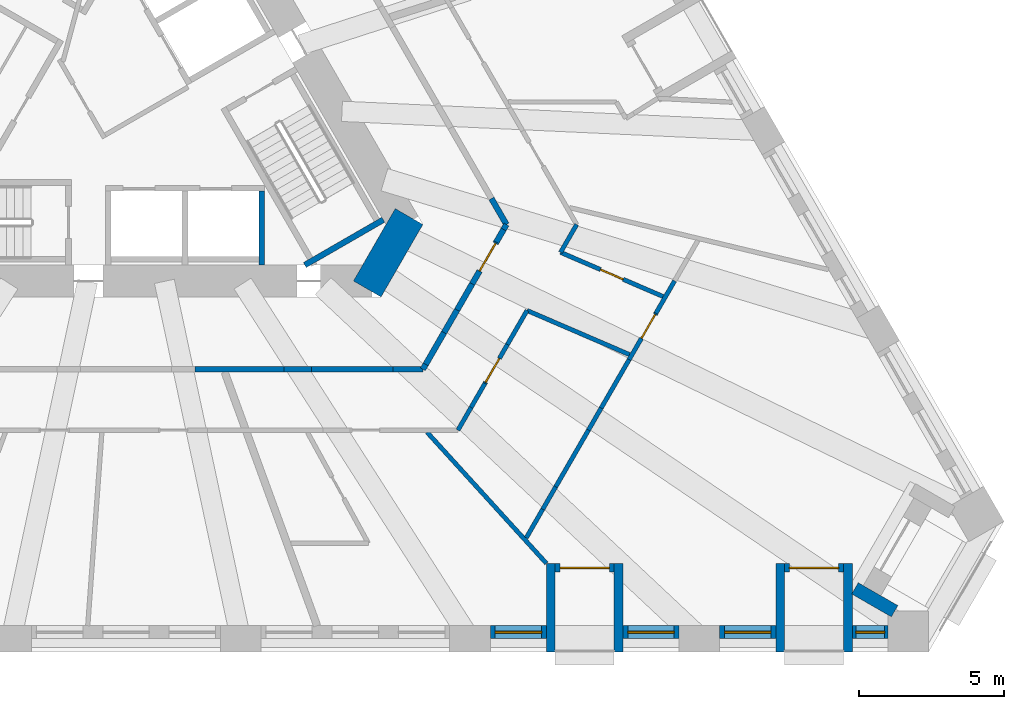
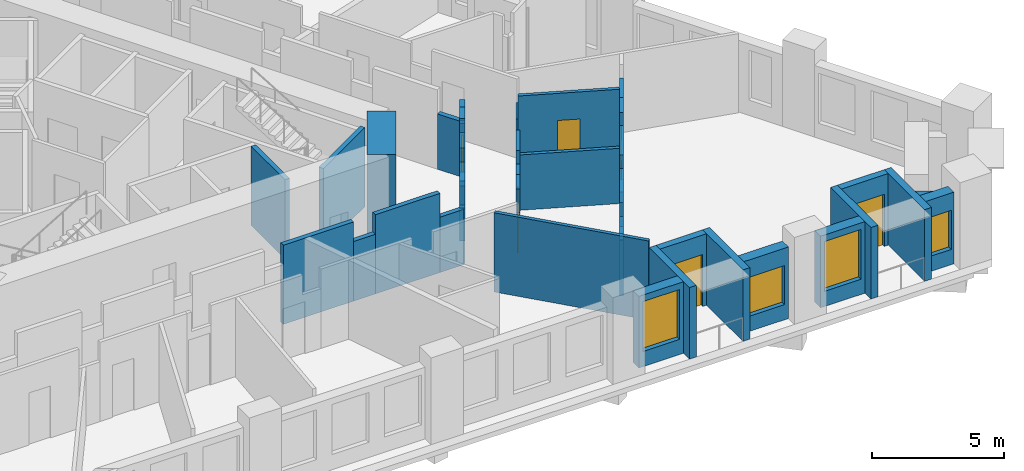
# One storey, part 6 of 14: 41 walls, 6 doors, 4 windows, 10 openings.
"""IFC4 building model written with IfcOpenShell, lengths in metres."""

from ifc_helpers import new_model, si_unit, direction, frame, frame_2d, origin, place, context, subcontext, project, spatial, polyline, rectangle, outline, extrude, material, layer, layer_set, type_object, element, fill, save


model = new_model("IFC4")

# Units and contexts
model_context = context("Model", 3, precision=1e-05, world=origin(), true_north=direction((0.0, 1.0)))
body_context = subcontext(model_context, "Body", "Model", "MODEL_VIEW")
ifc_project = project(units=[si_unit("LENGTHUNIT", "METRE"), si_unit("AREAUNIT", "SQUARE_METRE"), si_unit("VOLUMEUNIT", "CUBIC_METRE"), si_unit("PLANEANGLEUNIT", "RADIAN"), si_unit("MASSUNIT", "GRAM", prefix="KILO")], contexts=[model_context])

# Site, building, storey
site_placement = place(None, origin())
site = spatial("IfcSite", under=ifc_project, at=site_placement, CompositionType="ELEMENT")
building_placement = place(site_placement, origin())
building = spatial("IfcBuilding", under=site, at=building_placement, Name="Tramontana Tower", CompositionType="ELEMENT")
storey_placement = place(building_placement, frame((0.0, 0.0, 38.0)))
storey = spatial("IfcBuildingStorey", under=building, at=storey_placement, Name="L07", CompositionType="ELEMENT", Elevation=38.0)

# Walls
ifc_material_1 = material(Name="Concrete 70 MPa", Category="concrete")
ifc_layer_1 = layer(ifc_material_1, 1.10009765625)
ifc_layer_set_1 = layer_set([ifc_layer_1], Name="Core wall 1100 70 MPa")
wall_type_1 = type_object("IfcWallType", Name="Core wall 1100 70 MPa", PredefinedType="SHEAR", material=ifc_layer_set_1)
wall_1_placement = place(storey_placement, frame((8.328369140625, -6.47509765625, 0.0), z_axis=(0.0, 0.0, 1.0), x_axis=(0.499995765644, 0.866027848477, 0.0)))
element("IfcWall", 1, at=wall_1_placement, inside=storey, type_object=wall_type_1, Name="Core wall C4 L07", PredefinedType="SHEAR", context=body_context, shape_type="SweptSolid", body=[
    extrude(rectangle(XDim=2.88671875, YDim=1.10009765625, at=frame_2d((1.443359375, 0.0))), origin(), (0.0, 0.0, 1.0), 4.0),
])
ifc_material_2 = material(Name="Blockwork", Category="masonry")
ifc_layer_2 = layer(ifc_material_2, 0.199951171875)
ifc_layer_set_2 = layer_set([ifc_layer_2], Name="ENTRY WALL 200")
wall_type_2 = type_object("IfcWallType", Name="ENTRY WALL 200", PredefinedType="SOLIDWALL", material=ifc_layer_set_2)
wall_2_placement = place(storey_placement, frame((12.616943359375, -3.353515625, 0.0), z_axis=(0.0, 0.0, 1.0), x_axis=(0.500171514983, -0.865926356915, 0.0)))
element("IfcWall", 2, at=wall_2_placement, inside=storey, type_object=wall_type_2, Name="Wall v02-ew0-10", PredefinedType="SOLIDWALL", context=body_context, shape_type="SweptSolid", body=[
    extrude(rectangle(XDim=1.035400390625, YDim=0.199951171875, at=frame_2d((0.517578125, 0.0))), origin(), (0.0, 0.0, 1.0), 2.550048828125),
])
wall_3_placement = place(storey_placement, frame((13.134765625, -4.25, 0.0), z_axis=(0.0, 0.0, 1.0), x_axis=(-0.499865263774, -0.866103179807, 0.0)))
element("IfcWall", 3, at=wall_3_placement, inside=storey, type_object=wall_type_2, Name="Wall v02-ew1-0", PredefinedType="SOLIDWALL", context=body_context, shape_type="SweptSolid", body=[
    extrude(rectangle(XDim=0.197265625, YDim=0.199951171875, at=frame_2d((0.0986328125, 0.0))), origin(), (0.0, 0.0, 1.0), 2.550048828125),
])
wall_4_placement = place(storey_placement, frame((13.0361328125, -4.4208984375, 0.0), z_axis=(0.0, 0.0, 1.0), x_axis=(-0.499931517724, -0.866064938435, 0.0)))
element("IfcWall", 4, at=wall_4_placement, inside=storey, type_object=wall_type_2, Name="Wall v02-ew1-1", PredefinedType="SOLIDWALL", context=body_context, shape_type="SweptSolid", body=[
    extrude(rectangle(XDim=0.50537109375, YDim=0.199951171875, at=frame_2d((0.252685546875, 0.0))), origin(), (0.0, 0.0, 1.0), 3.64990234375),
])

# Wall, opening, door
wall_5_placement = place(storey_placement, frame((11.951416015625, -6.29931640625, 0.0), z_axis=(0.0, 0.0, 1.0), x_axis=(0.50011622646, 0.865958290007, 0.0)))
wall_5 = element("IfcWall", 5, at=wall_5_placement, inside=storey, type_object=wall_type_2, Name="Wall v02-ew1-2", PredefinedType="SOLIDWALL", context=body_context, shape_type="SweptSolid", body=[
    extrude(outline(polyline([(0.0, 0.0), (1.66357421875, 0.0), (1.663818359375, 3.64990234375), (0.90234375, 3.64990234375), (0.90234375, 2.550048828125), (0.0, 2.550048828125), (0.0, 0.0)])), frame((0.0, 0.10009765625, 0.0), z_axis=(0.0, -1.0, 0.0), x_axis=(1.0, 0.0, 0.0)), (0.0, 0.0, 1.0), 0.199951171875),
])
opening_1_placement = place(wall_5_placement, frame((0.513671875, 0.0, 0.0)))
opening_1 = element("IfcOpeningElement", 6, at=opening_1_placement, cuts=wall_5, Name="Opening B0C-29", PredefinedType="OPENING", context=body_context, shape_type="SweptSolid", body=[
    extrude(rectangle(XDim=1.10009765625, YDim=2.39990234375, at=frame_2d((0.550048828125, 1.199951171875))), frame((0.0, 0.10986328125, 0.0), z_axis=(0.0, -1.0, 0.0), x_axis=(1.0, 0.0, 0.0)), (0.0, 0.0, 1.0), 0.219970703125),
])
ifc_material_3 = material(Name="Painted timber", Category="wood")
door_type_1 = type_object("IfcDoorType", Name="DOOR ENTRY 1100", OperationType="SINGLE_SWING_LEFT", PredefinedType="DOOR", material=ifc_material_3)
door_1_placement = place(opening_1_placement, origin())
door_1 = element("IfcDoor", 7, at=door_1_placement, inside=storey, type_object=door_type_1, Name="Door B0C-29", OperationType="SINGLE_SWING_LEFT", OverallHeight=2.39990234375, OverallWidth=1.10009765625, PredefinedType="DOOR", context=body_context, shape_type="SweptSolid", body=[
    extrude(rectangle(XDim=1.10009765625, YDim=2.39990234375, at=frame_2d((0.550048828125, 1.199951171875))), frame((0.0, 0.02490234375, 0.0), z_axis=(0.0, -1.0, 0.0), x_axis=(1.0, 0.0, 0.0)), (0.0, 0.0, 1.0), 0.050048828125),
])
fill(opening_1, door_1)

# Walls
wall_6_placement = place(storey_placement, frame((11.951416015625, -6.29931640625, 0.0), z_axis=(0.0, 0.0, 1.0), x_axis=(-0.499898446243, -0.866084027935, 0.0)))
element("IfcWall", 8, at=wall_6_placement, inside=storey, type_object=wall_type_2, Name="Wall v02-ew1-3", PredefinedType="SOLIDWALL", context=body_context, shape_type="SweptSolid", body=[
    extrude(rectangle(XDim=1.040771484375, YDim=0.199951171875, at=frame_2d((0.5205078125, 0.0))), origin(), (0.0, 0.0, 1.0), 3.64990234375),
])
wall_7_placement = place(storey_placement, frame((11.43115234375, -7.20068359375, 0.0), z_axis=(0.0, 0.0, 1.0), x_axis=(-0.500097243556, -0.865969252911, 0.0)))
element("IfcWall", 9, at=wall_7_placement, inside=storey, type_object=wall_type_2, Name="Wall v02-ew1-4", PredefinedType="SOLIDWALL", context=body_context, shape_type="SweptSolid", body=[
    extrude(rectangle(XDim=0.902099609375, YDim=0.199951171875, at=frame_2d((0.451171875, 0.0))), origin(), (0.0, 0.0, 1.0), 2.550048828125),
])
wall_8_placement = place(storey_placement, frame((10.97998046875, -7.98193359375, 0.0), z_axis=(0.0, 0.0, 1.0), x_axis=(-0.499911523785, -0.866076479525, 0.0)))
element("IfcWall", 10, at=wall_8_placement, inside=storey, type_object=wall_type_2, Name="Wall v02-ew1-5", PredefinedType="SOLIDWALL", context=body_context, shape_type="SweptSolid", body=[
    extrude(rectangle(XDim=1.266845703125, YDim=0.199951171875, at=frame_2d((0.63330078125, 0.0))), origin(), (0.0, 0.0, 1.0), 3.64990234375),
])
wall_9_placement = place(storey_placement, frame((10.3466796875, -9.0791015625, 0.0), z_axis=(0.0, 0.0, 1.0), x_axis=(-0.499865263774, -0.866103179807, 0.0)))
element("IfcWall", 11, at=wall_9_placement, inside=storey, type_object=wall_type_2, Name="Wall v02-ew1-6", PredefinedType="SOLIDWALL", context=body_context, shape_type="SweptSolid", body=[
    extrude(rectangle(XDim=0.197265625, YDim=0.199951171875, at=frame_2d((0.0986328125, 0.0))), origin(), (0.0, 0.0, 1.0), 2.550048828125),
])
wall_10_placement = place(storey_placement, frame((10.248046875, -9.25, 0.0), z_axis=(0.0, 0.0, 1.0), x_axis=(-1.0, 0.0, 0.0)))
element("IfcWall", 12, at=wall_10_placement, inside=storey, type_object=wall_type_2, Name="Wall v02-ew2-0", PredefinedType="SOLIDWALL", context=body_context, shape_type="SweptSolid", body=[
    extrude(rectangle(XDim=1.035400390625, YDim=0.199951171875, at=frame_2d((0.517578125, 0.0))), origin(), (0.0, 0.0, 1.0), 2.550048828125),
])
wall_11_placement = place(storey_placement, frame((9.212646484375, -9.25, 0.0), z_axis=(0.0, 0.0, 1.0), x_axis=(-1.0, 0.0, 0.0)))
element("IfcWall", 13, at=wall_11_placement, inside=storey, type_object=wall_type_2, Name="Wall v02-ew2-1", PredefinedType="SOLIDWALL", context=body_context, shape_type="SweptSolid", body=[
    extrude(rectangle(XDim=2.815185546875, YDim=0.199951171875, at=frame_2d((1.40771484375, 0.0))), origin(), (0.0, 0.0, 1.0), 3.64990234375),
])
wall_12_placement = place(storey_placement, frame((6.3974609375, -9.25, 0.0), z_axis=(0.0, 0.0, 1.0), x_axis=(-1.0, 0.0, 0.0)))
element("IfcWall", 14, at=wall_12_placement, inside=storey, type_object=wall_type_2, Name="Wall v02-ew2-2", PredefinedType="SOLIDWALL", context=body_context, shape_type="SweptSolid", body=[
    extrude(rectangle(XDim=0.949951171875, YDim=0.199951171875, at=frame_2d((0.47509765625, 0.0))), origin(), (0.0, 0.0, 1.0), 2.75),
])
wall_13_placement = place(storey_placement, frame((5.447509765625, -9.25, 0.0), z_axis=(0.0, 0.0, 1.0), x_axis=(-1.0, 0.0, 0.0)))
element("IfcWall", 15, at=wall_13_placement, inside=storey, type_object=wall_type_2, Name="Wall v02-ew2-3", PredefinedType="SOLIDWALL", context=body_context, shape_type="SweptSolid", body=[
    extrude(rectangle(XDim=3.064453125, YDim=0.199951171875, at=frame_2d((1.5322265625, 0.0))), origin(), (0.0, 0.0, 1.0), 3.64990234375),
])

# Wall, opening, window
ifc_material_4 = material(Name="Precast concrete 60 MPa", Category="concrete")
ifc_layer_3 = layer(ifc_material_4, 0.449951171875)
ifc_layer_set_3 = layer_set([ifc_layer_3], Name="Precast concrete 60 MPa, 450 mm")
wall_type_3 = type_object("IfcWallType", Name="EW1 Stone-faced precast wall 450", PredefinedType="SOLIDWALL", material=ifc_layer_set_3)
wall_14_placement = place(storey_placement, frame((12.576904296875, -18.324951171875, 0.0), z_axis=(0.0, 0.0, 1.0), x_axis=(1.0, 0.0, 0.0)))
wall_14 = element("IfcWall", 16, at=wall_14_placement, inside=storey, type_object=wall_type_3, Name="External wall L07 face 1 bay 6", PredefinedType="SOLIDWALL", context=body_context, shape_type="SweptSolid", body=[
    extrude(rectangle(XDim=1.939208984375, YDim=0.449951171875, at=frame_2d((0.9697265625, 0.0))), origin(), (0.0, 0.0, 1.0), 3.300048828125),
])
opening_2_placement = place(wall_14_placement, frame((0.169677734375, 0.0, 0.699951171875)))
opening_2 = element("IfcOpeningElement", 17, at=opening_2_placement, cuts=wall_14, Name="Opening M1", PredefinedType="OPENING", context=body_context, shape_type="SweptSolid", body=[
    extrude(rectangle(XDim=1.60009765625, YDim=2.300048828125, at=frame_2d((0.800048828125, 1.14990234375))), frame((0.0, 0.23486328125, 0.0), z_axis=(0.0, -1.0, 0.0), x_axis=(1.0, 0.0, 0.0)), (0.0, 0.0, 1.0), 0.469970703125),
])
ifc_material_5 = material(Name="Aluminum frame, double glazing unit", Category="aluminium")
window_type_1 = type_object("IfcWindowType", Name="M1 Window 1.6 x 2.3", PartitioningType="SINGLE_PANEL", PredefinedType="WINDOW", material=ifc_material_5)
window_1_placement = place(opening_2_placement, origin())
window_1 = element("IfcWindow", 18, at=window_1_placement, inside=storey, type_object=window_type_1, Name="Window M1 L07 face 1 module 16", OverallHeight=2.300048828125, OverallWidth=1.60009765625, PartitioningType="SINGLE_PANEL", PredefinedType="WINDOW", context=body_context, shape_type="SweptSolid", body=[
    extrude(rectangle(XDim=1.60009765625, YDim=2.300048828125, at=frame_2d((0.800048828125, 1.14990234375))), frame((0.0, 0.030029296875, 0.0), z_axis=(0.0, -1.0, 0.0), x_axis=(1.0, 0.0, 0.0)), (0.0, 0.0, 1.0), 0.06005859375),
])
fill(opening_2, window_1)

wall_15_placement = place(storey_placement, frame((17.155517578125, -18.324951171875, 0.0), z_axis=(0.0, 0.0, 1.0), x_axis=(1.0, 0.0, 0.0)))
wall_15 = element("IfcWall", 19, at=wall_15_placement, inside=storey, type_object=wall_type_3, Name="External wall L07 face 1 bay 6", PredefinedType="SOLIDWALL", context=body_context, shape_type="SweptSolid", body=[
    extrude(rectangle(XDim=1.939453125, YDim=0.449951171875, at=frame_2d((0.9697265625, 0.0))), origin(), (0.0, 0.0, 1.0), 3.300048828125),
])
opening_3_placement = place(wall_15_placement, frame((0.169677734375, 0.0, 0.699951171875)))
opening_3 = element("IfcOpeningElement", 20, at=opening_3_placement, cuts=wall_15, Name="Opening M1L", PredefinedType="OPENING", context=body_context, shape_type="SweptSolid", body=[
    extrude(rectangle(XDim=1.60009765625, YDim=1.800048828125, at=frame_2d((0.800048828125, 0.89990234375))), frame((0.0, 0.23486328125, 0.0), z_axis=(0.0, -1.0, 0.0), x_axis=(1.0, 0.0, 0.0)), (0.0, 0.0, 1.0), 0.469970703125),
])
ifc_material_6 = material(Name="Aluminum frame, double glazing unit", Category="aluminium")
window_type_2 = type_object("IfcWindowType", Name="M1L Window 1.6 x 1.8", PartitioningType="SINGLE_PANEL", PredefinedType="WINDOW", material=ifc_material_6)
window_2_placement = place(opening_3_placement, origin())
window_2 = element("IfcWindow", 21, at=window_2_placement, inside=storey, type_object=window_type_2, Name="Window M1L L07 face 1 module 18", OverallHeight=1.800048828125, OverallWidth=1.60009765625, PartitioningType="SINGLE_PANEL", PredefinedType="WINDOW", context=body_context, shape_type="SweptSolid", body=[
    extrude(rectangle(XDim=1.60009765625, YDim=1.800048828125, at=frame_2d((0.800048828125, 0.89990234375))), frame((0.0, 0.030029296875, 0.0), z_axis=(0.0, -1.0, 0.0), x_axis=(1.0, 0.0, 0.0)), (0.0, 0.0, 1.0), 0.06005859375),
])
fill(opening_3, window_2)

wall_16_placement = place(storey_placement, frame((20.494873046875, -18.324951171875, 0.0), z_axis=(0.0, 0.0, 1.0), x_axis=(1.0, 0.0, 0.0)))
wall_16 = element("IfcWall", 22, at=wall_16_placement, inside=storey, type_object=wall_type_3, Name="External wall L07 face 1 bay 7", PredefinedType="SOLIDWALL", context=body_context, shape_type="SweptSolid", body=[
    extrude(rectangle(XDim=1.939208984375, YDim=0.449951171875, at=frame_2d((0.9697265625, 0.0))), origin(), (0.0, 0.0, 1.0), 3.300048828125),
])
opening_4_placement = place(wall_16_placement, frame((0.169677734375, 0.0, 0.699951171875)))
opening_4 = element("IfcOpeningElement", 23, at=opening_4_placement, cuts=wall_16, Name="Opening M1", PredefinedType="OPENING", context=body_context, shape_type="SweptSolid", body=[
    extrude(rectangle(XDim=1.60009765625, YDim=2.300048828125, at=frame_2d((0.800048828125, 1.14990234375))), frame((0.0, 0.23486328125, 0.0), z_axis=(0.0, -1.0, 0.0), x_axis=(1.0, 0.0, 0.0)), (0.0, 0.0, 1.0), 0.469970703125),
])
window_3_placement = place(opening_4_placement, origin())
window_3 = element("IfcWindow", 24, at=window_3_placement, inside=storey, type_object=window_type_1, Name="Window M1 L07 face 1 module 19", OverallHeight=2.300048828125, OverallWidth=1.60009765625, PartitioningType="SINGLE_PANEL", PredefinedType="WINDOW", context=body_context, shape_type="SweptSolid", body=[
    extrude(rectangle(XDim=1.60009765625, YDim=2.300048828125, at=frame_2d((0.800048828125, 1.14990234375))), frame((0.0, 0.030029296875, 0.0), z_axis=(0.0, -1.0, 0.0), x_axis=(1.0, 0.0, 0.0)), (0.0, 0.0, 1.0), 0.06005859375),
])
fill(opening_4, window_3)

wall_17_placement = place(storey_placement, frame((25.073486328125, -18.324951171875, 0.0), z_axis=(0.0, 0.0, 1.0), x_axis=(1.0, 0.0, 0.0)))
wall_17 = element("IfcWall", 25, at=wall_17_placement, inside=storey, type_object=wall_type_3, Name="External wall L07 face 1 bay 7", PredefinedType="SOLIDWALL", context=body_context, shape_type="SweptSolid", body=[
    extrude(rectangle(XDim=1.2392578125, YDim=0.449951171875, at=frame_2d((0.61962890625, 0.0))), origin(), (0.0, 0.0, 1.0), 3.300048828125),
])
opening_5_placement = place(wall_17_placement, frame((0.11962890625, 0.0, 0.699951171875)))
opening_5 = element("IfcOpeningElement", 26, at=opening_5_placement, cuts=wall_17, Name="Opening N1L", PredefinedType="OPENING", context=body_context, shape_type="SweptSolid", body=[
    extrude(rectangle(XDim=1.0, YDim=1.800048828125, at=frame_2d((0.5, 0.89990234375))), frame((0.0, 0.23486328125, 0.0), z_axis=(0.0, -1.0, 0.0), x_axis=(1.0, 0.0, 0.0)), (0.0, 0.0, 1.0), 0.469970703125),
])
ifc_material_7 = material(Name="Aluminum frame, double glazing unit", Category="aluminium")
window_type_3 = type_object("IfcWindowType", Name="N1L Window 1 x 1.8", PartitioningType="SINGLE_PANEL", PredefinedType="WINDOW", material=ifc_material_7)
window_4_placement = place(opening_5_placement, origin())
window_4 = element("IfcWindow", 27, at=window_4_placement, inside=storey, type_object=window_type_3, Name="Window N1L L07 face 1 module 21", OverallHeight=1.800048828125, OverallWidth=1.0, PartitioningType="SINGLE_PANEL", PredefinedType="WINDOW", context=body_context, shape_type="SweptSolid", body=[
    extrude(rectangle(XDim=1.0, YDim=1.800048828125, at=frame_2d((0.5, 0.89990234375))), frame((0.0, 0.030029296875, 0.0), z_axis=(0.0, -1.0, 0.0), x_axis=(1.0, 0.0, 0.0)), (0.0, 0.0, 1.0), 0.06005859375),
])
fill(opening_5, window_4)

# Wall
wall_18_placement = place(storey_placement, frame((26.5341796875, -17.60009765625, 0.0), z_axis=(0.0, 0.0, 1.0), x_axis=(-0.86597962928, 0.500079275387, 0.0)))
element("IfcWall", 28, at=wall_18_placement, inside=storey, type_object=wall_type_3, Name="Corner loggia side wall L07 K02r", PredefinedType="SOLIDWALL", context=body_context, shape_type="SweptSolid", body=[
    extrude(rectangle(XDim=1.579345703125, YDim=0.449951171875, at=frame_2d((0.78955078125, 0.0))), origin(), (0.0, 0.0, 1.0), 2.550048828125),
])

# Wall, opening, door
ifc_material_8 = material(Name="Precast concrete 60 MPa", Category="concrete")
ifc_layer_4 = layer(ifc_material_8, 0.300048828125)
ifc_layer_set_4 = layer_set([ifc_layer_4], Name="LW1 Stone-faced loggia wall 300")
wall_type_4 = type_object("IfcWallType", Name="LW1 Stone-faced loggia wall 300", PredefinedType="SOLIDWALL", material=ifc_layer_set_4)
wall_19_placement = place(storey_placement, frame((14.816162109375, -16.10009765625, 0.0), z_axis=(0.0, 0.0, 1.0), x_axis=(1.0, 0.0, 0.0)))
wall_19 = element("IfcWall", 29, at=wall_19_placement, inside=storey, type_object=wall_type_4, Name="Loggia wall L07 G0S1.16", PredefinedType="SOLIDWALL", context=body_context, shape_type="SweptSolid", body=[
    extrude(rectangle(XDim=2.039306640625, YDim=0.300048828125, at=frame_2d((1.01953125, 0.0))), origin(), (0.0, 0.0, 1.0), 3.300048828125),
])
opening_6_placement = place(wall_19_placement, frame((0.169677734375, 0.0, 0.0)))
opening_6 = element("IfcOpeningElement", 30, at=opening_6_placement, cuts=wall_19, Name="Opening BD-0S1-16", PredefinedType="OPENING", context=body_context, shape_type="SweptSolid", body=[
    extrude(rectangle(XDim=1.699951171875, YDim=2.39990234375, at=frame_2d((0.85009765625, 1.199951171875))), frame((0.0, 0.159912109375, 0.0), z_axis=(0.0, -1.0, 0.0), x_axis=(1.0, 0.0, 0.0)), (0.0, 0.0, 1.0), 0.320068359375),
])
ifc_material_9 = material(Name="Aluminum frame, double glazing unit", Category="aluminium")
door_type_2 = type_object("IfcDoorType", Name="BD1 Sliding door 1.7 x 2.4", OperationType="SLIDING_TO_LEFT", PredefinedType="DOOR", material=ifc_material_9)
door_2_placement = place(opening_6_placement, origin())
door_2 = element("IfcDoor", 31, at=door_2_placement, inside=storey, type_object=door_type_2, Name="Loggia door L07 G0S1.16", OperationType="SLIDING_TO_LEFT", OverallHeight=2.39990234375, OverallWidth=1.699951171875, PredefinedType="DOOR", context=body_context, shape_type="SweptSolid", body=[
    extrude(rectangle(XDim=1.699951171875, YDim=2.39990234375, at=frame_2d((0.85009765625, 1.199951171875))), frame((0.0, 0.02490234375, 0.0), z_axis=(0.0, -1.0, 0.0), x_axis=(1.0, 0.0, 0.0)), (0.0, 0.0, 1.0), 0.050048828125),
])
fill(opening_6, door_2)

# Walls
for number, where, z_axis, x_axis, name in (
    (32, (14.666259765625, -19.0, 0.0), (0.0, 0.0, 1.0), (0.0, 1.0, 0.0), "Loggia return L07 G0S1.16a"),
    (33, (17.005615234375, -19.0, 0.0), (0.0, 0.0, 1.0), (0.0, 1.0, 0.0), "Loggia return L07 G0S1.16b"),
):
    element("IfcWall", number, at=place(storey_placement, frame(where, z_axis=z_axis, x_axis=x_axis)), inside=storey, type_object=wall_type_4, Name=name, PredefinedType="SOLIDWALL", context=body_context, shape_type="SweptSolid", body=[
        extrude(rectangle(XDim=3.050048828125, YDim=0.300048828125, at=frame_2d((1.52490234375, 0.0))), origin(), (0.0, 0.0, 1.0), 3.300048828125),
    ])

# Wall, opening, door
wall_20_placement = place(storey_placement, frame((22.734130859375, -16.10009765625, 0.0), z_axis=(0.0, 0.0, 1.0), x_axis=(1.0, 0.0, 0.0)))
wall_20 = element("IfcWall", 34, at=wall_20_placement, inside=storey, type_object=wall_type_4, Name="Loggia wall L07 G0S1.19", PredefinedType="SOLIDWALL", context=body_context, shape_type="SweptSolid", body=[
    extrude(rectangle(XDim=2.039306640625, YDim=0.300048828125, at=frame_2d((1.01953125, 0.0))), origin(), (0.0, 0.0, 1.0), 3.300048828125),
])
opening_7_placement = place(wall_20_placement, frame((0.169677734375, 0.0, 0.0)))
opening_7 = element("IfcOpeningElement", 35, at=opening_7_placement, cuts=wall_20, Name="Opening BD-0S1-19", PredefinedType="OPENING", context=body_context, shape_type="SweptSolid", body=[
    extrude(rectangle(XDim=1.699951171875, YDim=2.39990234375, at=frame_2d((0.85009765625, 1.199951171875))), frame((0.0, 0.159912109375, 0.0), z_axis=(0.0, -1.0, 0.0), x_axis=(1.0, 0.0, 0.0)), (0.0, 0.0, 1.0), 0.320068359375),
])
door_3_placement = place(opening_7_placement, origin())
door_3 = element("IfcDoor", 36, at=door_3_placement, inside=storey, type_object=door_type_2, Name="Loggia door L07 G0S1.19", OperationType="SLIDING_TO_LEFT", OverallHeight=2.39990234375, OverallWidth=1.699951171875, PredefinedType="DOOR", context=body_context, shape_type="SweptSolid", body=[
    extrude(rectangle(XDim=1.699951171875, YDim=2.39990234375, at=frame_2d((0.85009765625, 1.199951171875))), frame((0.0, 0.02490234375, 0.0), z_axis=(0.0, -1.0, 0.0), x_axis=(1.0, 0.0, 0.0)), (0.0, 0.0, 1.0), 0.050048828125),
])
fill(opening_7, door_3)

# Walls
for number, where, z_axis, x_axis, name in (
    (37, (22.584228515625, -19.0, 0.0), (0.0, 0.0, 1.0), (0.0, 1.0, 0.0), "Loggia return L07 G0S1.19a"),
    (38, (24.923583984375, -19.0, 0.0), (0.0, 0.0, 1.0), (0.0, 1.0, 0.0), "Loggia return L07 G0S1.19b"),
):
    element("IfcWall", number, at=place(storey_placement, frame(where, z_axis=z_axis, x_axis=x_axis)), inside=storey, type_object=wall_type_4, Name=name, PredefinedType="SOLIDWALL", context=body_context, shape_type="SweptSolid", body=[
        extrude(rectangle(XDim=3.050048828125, YDim=0.300048828125, at=frame_2d((1.52490234375, 0.0))), origin(), (0.0, 0.0, 1.0), 3.300048828125),
    ])
ifc_material_10 = material(Name="Gypsum board partition")
ifc_layer_5 = layer(ifc_material_10, 0.14990234375)
ifc_layer_set_5 = layer_set([ifc_layer_5], Name="PARTITION 150")
wall_type_5 = type_object("IfcWallType", Name="PARTITION 150", PredefinedType="PARTITIONING", material=ifc_layer_set_5)
wall_21_placement = place(storey_placement, frame((13.84619140625, -7.217529296875, 0.0), z_axis=(0.0, 0.0, 1.0), x_axis=(-0.499971721724, -0.866041729639, 0.0)))
element("IfcWall", 39, at=wall_21_placement, inside=storey, type_object=wall_type_5, Name="Wall v02-pw39-0", PredefinedType="PARTITIONING", context=body_context, shape_type="SweptSolid", body=[
    extrude(rectangle(XDim=1.3564453125, YDim=0.14990234375, at=frame_2d((0.67822265625, 0.0))), origin(), (0.0, 0.0, 1.0), 3.64990234375),
])

# Wall, opening, door
wall_22_placement = place(storey_placement, frame((13.16796875, -8.392333984375, 0.0), z_axis=(0.0, 0.0, 1.0), x_axis=(-0.499939993713, -0.866060045659, 0.0)))
wall_22 = element("IfcWall", 40, at=wall_22_placement, inside=storey, type_object=wall_type_5, Name="Wall v02-pw39-1", PredefinedType="PARTITIONING", context=body_context, shape_type="SweptSolid", body=[
    extrude(outline(polyline([(0.0, 0.0), (1.554443359375, 0.0), (1.554443359375, 3.64990234375), (0.877197265625, 3.64990234375), (0.877197265625, 2.550048828125), (0.0, 2.550048828125), (0.0, 0.0)])), frame((0.0, 0.074951171875, 0.0), z_axis=(0.0, -1.0, 0.0), x_axis=(1.0, 0.0, 0.0)), (0.0, 0.0, 1.0), 0.14990234375),
])
opening_8_placement = place(wall_22_placement, frame((0.554443359375, 0.0, 0.0)))
opening_8 = element("IfcOpeningElement", 41, at=opening_8_placement, cuts=wall_22, Name="Opening B0C-20", PredefinedType="OPENING", context=body_context, shape_type="SweptSolid", body=[
    extrude(rectangle(XDim=0.949951171875, YDim=2.39990234375, at=frame_2d((0.47509765625, 1.199951171875))), frame((0.0, 0.0849609375, 0.0), z_axis=(0.0, -1.0, 0.0), x_axis=(1.0, 0.0, 0.0)), (0.0, 0.0, 1.0), 0.169921875),
])
ifc_material_11 = material(Name="Painted timber", Category="wood")
door_type_3 = type_object("IfcDoorType", Name="DOOR ROOM 950", OperationType="SINGLE_SWING_LEFT", PredefinedType="DOOR", material=ifc_material_11)
door_4_placement = place(opening_8_placement, origin())
door_4 = element("IfcDoor", 42, at=door_4_placement, inside=storey, type_object=door_type_3, Name="Door B0C-20", OperationType="SINGLE_SWING_RIGHT", OverallHeight=2.39990234375, OverallWidth=0.949951171875, PredefinedType="DOOR", context=body_context, shape_type="SweptSolid", body=[
    extrude(rectangle(XDim=0.949951171875, YDim=2.39990234375, at=frame_2d((0.47509765625, 1.199951171875))), frame((0.0, 0.02490234375, 0.0), z_axis=(0.0, -1.0, 0.0), x_axis=(1.0, 0.0, 0.0)), (0.0, 0.0, 1.0), 0.050048828125),
])
fill(opening_8, door_4)

# Walls
wall_23_placement = place(storey_placement, frame((12.390869140625, -9.738525390625, 0.0), z_axis=(0.0, 0.0, 1.0), x_axis=(-0.500128417272, -0.865951249342, 0.0)))
element("IfcWall", 43, at=wall_23_placement, inside=storey, type_object=wall_type_5, Name="Wall v02-pw39-2", PredefinedType="PARTITIONING", context=body_context, shape_type="SweptSolid", body=[
    extrude(rectangle(XDim=0.954345703125, YDim=0.14990234375, at=frame_2d((0.47705078125, 0.0))), origin(), (0.0, 0.0, 1.0), 3.64990234375),
])
wall_24_placement = place(storey_placement, frame((11.91357421875, -10.56494140625, 0.0), z_axis=(0.0, 0.0, 1.0), x_axis=(-0.499846793097, -0.866113839764, 0.0)))
element("IfcWall", 44, at=wall_24_placement, inside=storey, type_object=wall_type_5, Name="Wall v02-pw39-3", PredefinedType="PARTITIONING", context=body_context, shape_type="SweptSolid", body=[
    extrude(rectangle(XDim=0.906494140625, YDim=0.14990234375, at=frame_2d((0.453125, 0.0))), origin(), (0.0, 0.0, 1.0), 2.550048828125),
])
wall_25_placement = place(storey_placement, frame((14.51611328125, -15.949951171875, 0.0), z_axis=(0.0, 0.0, 1.0), x_axis=(-0.673085803797, 0.73956439931, 0.0)))
element("IfcWall", 45, at=wall_25_placement, inside=storey, type_object=wall_type_5, Name="Wall v02-pw40", PredefinedType="PARTITIONING", context=body_context, shape_type="SweptSolid", body=[
    extrude(rectangle(XDim=6.118408203125, YDim=0.14990234375, at=frame_2d((3.05908203125, 0.0))), origin(), (0.0, 0.0, 1.0), 3.64990234375),
])

# Wall, opening, door
wall_26_placement = place(storey_placement, frame((15.004150390625, -5.2119140625, 0.0), z_axis=(0.0, 0.0, 1.0), x_axis=(0.918389227488, -0.395678185946, 0.0)))
wall_26 = element("IfcWall", 46, at=wall_26_placement, inside=storey, type_object=wall_type_5, Name="Wall v02-pw41", PredefinedType="PARTITIONING", context=body_context, shape_type="SweptSolid", body=[
    extrude(rectangle(XDim=3.851318359375, YDim=0.14990234375, at=frame_2d((1.92578125, 0.0))), origin(), (0.0, 0.0, 1.0), 3.64990234375),
])
opening_9_placement = place(wall_26_placement, frame((1.500732421875, 0.0, 0.0)))
opening_9 = element("IfcOpeningElement", 47, at=opening_9_placement, cuts=wall_26, Name="Opening B0C-21", PredefinedType="OPENING", context=body_context, shape_type="SweptSolid", body=[
    extrude(rectangle(XDim=0.85009765625, YDim=2.39990234375, at=frame_2d((0.425048828125, 1.199951171875))), frame((0.0, 0.0849609375, 0.0), z_axis=(0.0, -1.0, 0.0), x_axis=(1.0, 0.0, 0.0)), (0.0, 0.0, 1.0), 0.169921875),
])
ifc_material_12 = material(Name="Painted timber", Category="wood")
door_type_4 = type_object("IfcDoorType", Name="DOOR BATH 850", OperationType="SINGLE_SWING_LEFT", PredefinedType="DOOR", material=ifc_material_12)
door_5_placement = place(opening_9_placement, origin())
door_5 = element("IfcDoor", 48, at=door_5_placement, inside=storey, type_object=door_type_4, Name="Door B0C-21", OperationType="SINGLE_SWING_LEFT", OverallHeight=2.39990234375, OverallWidth=0.85009765625, PredefinedType="DOOR", context=body_context, shape_type="SweptSolid", body=[
    extrude(rectangle(XDim=0.85009765625, YDim=2.39990234375, at=frame_2d((0.425048828125, 1.199951171875))), frame((0.0, 0.02490234375, 0.0), z_axis=(0.0, -1.0, 0.0), x_axis=(1.0, 0.0, 0.0)), (0.0, 0.0, 1.0), 0.050048828125),
])
fill(opening_9, door_5)

# Walls
wall_27_placement = place(storey_placement, frame((15.5595703125, -4.25, 0.0), z_axis=(0.0, 0.0, 1.0), x_axis=(-0.500039553057, -0.866002566612, 0.0)))
element("IfcWall", 49, at=wall_27_placement, inside=storey, type_object=wall_type_5, Name="Wall v02-pw44-0", PredefinedType="PARTITIONING", context=body_context, shape_type="SweptSolid", body=[
    extrude(rectangle(XDim=1.11083984375, YDim=0.14990234375, at=frame_2d((0.555419921875, 0.0))), origin(), (0.0, 0.0, 1.0), 2.550048828125),
])
wall_28_placement = place(storey_placement, frame((17.38330078125, -8.7412109375, 0.0), z_axis=(0.0, 0.0, 1.0), x_axis=(-0.918412261458, 0.395624718647, 0.0)))
element("IfcWall", 50, at=wall_28_placement, inside=storey, type_object=wall_type_5, Name="Wall v02-pw47-0", PredefinedType="PARTITIONING", context=body_context, shape_type="SweptSolid", body=[
    extrude(rectangle(XDim=3.851318359375, YDim=0.14990234375, at=frame_2d((1.92578125, 0.0))), origin(), (0.0, 0.0, 1.0), 2.550048828125),
])
wall_29_placement = place(storey_placement, frame((18.93896484375, -6.196533203125, 0.0), z_axis=(0.0, 0.0, 1.0), x_axis=(-0.499924472688, -0.866069005107, 0.0)))
element("IfcWall", 51, at=wall_29_placement, inside=storey, type_object=wall_type_5, Name="Wall v02-pw50-2", PredefinedType="PARTITIONING", context=body_context, shape_type="SweptSolid", body=[
    extrude(rectangle(XDim=1.290283203125, YDim=0.14990234375, at=frame_2d((0.64501953125, 0.0))), origin(), (0.0, 0.0, 1.0), 3.64990234375),
])

# Wall, opening, door
wall_30_placement = place(storey_placement, frame((18.2939453125, -7.31396484375, 0.0), z_axis=(0.0, 0.0, 1.0), x_axis=(-0.499989263917, -0.866031602176, 0.0)))
wall_30 = element("IfcWall", 52, at=wall_30_placement, inside=storey, type_object=wall_type_5, Name="Wall v02-pw50-3", PredefinedType="PARTITIONING", context=body_context, shape_type="SweptSolid", body=[
    extrude(outline(polyline([(0.0, 0.0), (1.84814453125, 0.0), (1.848388671875, 2.550048828125), (0.97119140625, 2.550048828125), (0.97119140625, 3.64990234375), (0.0, 3.64990234375), (0.0, 0.0)])), frame((0.0, 0.074951171875, 0.0), z_axis=(0.0, -1.0, 0.0), x_axis=(1.0, 0.0, 0.0)), (0.0, 0.0, 1.0), 0.14990234375),
])
opening_10_placement = place(wall_30_placement, frame((0.050048828125, 0.0, 0.0)))
opening_10 = element("IfcOpeningElement", 53, at=opening_10_placement, cuts=wall_30, Name="Opening B0C-22", PredefinedType="OPENING", context=body_context, shape_type="SweptSolid", body=[
    extrude(rectangle(XDim=0.949951171875, YDim=2.39990234375, at=frame_2d((0.47509765625, 1.199951171875))), frame((0.0, 0.0849609375, 0.0), z_axis=(0.0, -1.0, 0.0), x_axis=(1.0, 0.0, 0.0)), (0.0, 0.0, 1.0), 0.169921875),
])
door_6_placement = place(opening_10_placement, origin())
door_6 = element("IfcDoor", 54, at=door_6_placement, inside=storey, type_object=door_type_3, Name="Door B0C-22", OperationType="SINGLE_SWING_RIGHT", OverallHeight=2.39990234375, OverallWidth=0.949951171875, PredefinedType="DOOR", context=body_context, shape_type="SweptSolid", body=[
    extrude(rectangle(XDim=0.949951171875, YDim=2.39990234375, at=frame_2d((0.47509765625, 1.199951171875))), frame((0.0, 0.02490234375, 0.0), z_axis=(0.0, -1.0, 0.0), x_axis=(1.0, 0.0, 0.0)), (0.0, 0.0, 1.0), 0.050048828125),
])
fill(opening_10, door_6)

# Walls
wall_31_placement = place(storey_placement, frame((17.369873046875, -8.91455078125, 0.0), z_axis=(0.0, 0.0, 1.0), x_axis=(-0.499963437846, -0.866046511925, 0.0)))
element("IfcWall", 55, at=wall_31_placement, inside=storey, type_object=wall_type_5, Name="Wall v02-pw50-4", PredefinedType="PARTITIONING", context=body_context, shape_type="SweptSolid", body=[
    extrude(rectangle(XDim=1.929443359375, YDim=0.14990234375, at=frame_2d((0.96484375, 0.0))), origin(), (0.0, 0.0, 1.0), 3.64990234375),
])
wall_32_placement = place(storey_placement, frame((16.4052734375, -10.58544921875, 0.0), z_axis=(0.0, 0.0, 1.0), x_axis=(-0.500059680869, -0.865990944277, 0.0)))
element("IfcWall", 56, at=wall_32_placement, inside=storey, type_object=wall_type_5, Name="Wall v02-pw50-5", PredefinedType="PARTITIONING", context=body_context, shape_type="SweptSolid", body=[
    extrude(rectangle(XDim=0.87744140625, YDim=0.14990234375, at=frame_2d((0.438720703125, 0.0))), origin(), (0.0, 0.0, 1.0), 2.550048828125),
])
wall_33_placement = place(storey_placement, frame((15.966552734375, -11.34521484375, 0.0), z_axis=(0.0, 0.0, 1.0), x_axis=(-0.500005951055, -0.866021967914, 0.0)))
element("IfcWall", 57, at=wall_33_placement, inside=storey, type_object=wall_type_5, Name="Wall v02-pw50-6", PredefinedType="PARTITIONING", context=body_context, shape_type="SweptSolid", body=[
    extrude(rectangle(XDim=2.26123046875, YDim=0.14990234375, at=frame_2d((1.130615234375, 0.0))), origin(), (0.0, 0.0, 1.0), 3.64990234375),
])
wall_34_placement = place(storey_placement, frame((14.8359375, -13.303466796875, 0.0), z_axis=(0.0, 0.0, 1.0), x_axis=(-0.499996880198, -0.866027204995, 0.0)))
element("IfcWall", 58, at=wall_34_placement, inside=storey, type_object=wall_type_5, Name="Wall v02-pw50-7", PredefinedType="PARTITIONING", context=body_context, shape_type="SweptSolid", body=[
    extrude(rectangle(XDim=0.8984375, YDim=0.14990234375, at=frame_2d((0.44921875, 0.0))), origin(), (0.0, 0.0, 1.0), 2.550048828125),
])
wall_35_placement = place(storey_placement, frame((14.38671875, -14.08154296875, 0.0), z_axis=(0.0, 0.0, 1.0), x_axis=(-0.49991388125, -0.866075118759, 0.0)))
element("IfcWall", 59, at=wall_35_placement, inside=storey, type_object=wall_type_5, Name="Wall v02-pw50-8", PredefinedType="PARTITIONING", context=body_context, shape_type="SweptSolid", body=[
    extrude(rectangle(XDim=1.140869140625, YDim=0.14990234375, at=frame_2d((0.5703125, 0.0))), origin(), (0.0, 0.0, 1.0), 3.64990234375),
])
ifc_material_13 = material(Name="Concrete 70 MPa", Category="concrete")
ifc_layer_6 = layer(ifc_material_13, 0.199951171875)
ifc_layer_set_6 = layer_set([ifc_layer_6], Name="Concrete 70 MPa, 200 mm")
wall_type_6 = type_object("IfcWallType", Name="RC STAIR AND SHAFT WALL 200", PredefinedType="SOLIDWALL", material=ifc_layer_set_6)
wall_36_placement = place(storey_placement, frame((6.173828125, -5.64990234375, 0.0), z_axis=(0.0, 0.0, 1.0), x_axis=(0.866054327916, 0.499949898588, 0.0)))
element("IfcWall", 60, at=wall_36_placement, inside=storey, type_object=wall_type_6, Name="Wall st3-far", PredefinedType="SOLIDWALL", context=body_context, shape_type="SweptSolid", body=[
    extrude(rectangle(XDim=3.128173828125, YDim=0.199951171875, at=frame_2d((1.56396484375, 0.0))), origin(), (0.0, 0.0, 1.0), 3.64990234375),
])
wall_37_placement = place(storey_placement, frame((4.68994140625, -3.10009765625, 0.0), z_axis=(0.0, 0.0, 1.0), x_axis=(0.0, -1.0, 0.0)))
element("IfcWall", 61, at=wall_37_placement, inside=storey, type_object=wall_type_6, Name="Wall row1-side2", PredefinedType="SOLIDWALL", context=body_context, shape_type="SweptSolid", body=[
    extrude(rectangle(XDim=2.5498046875, YDim=0.199951171875, at=frame_2d((1.27490234375, 0.0))), origin(), (0.0, 0.0, 1.0), 3.64990234375),
])

save(model, "model.ifc")
